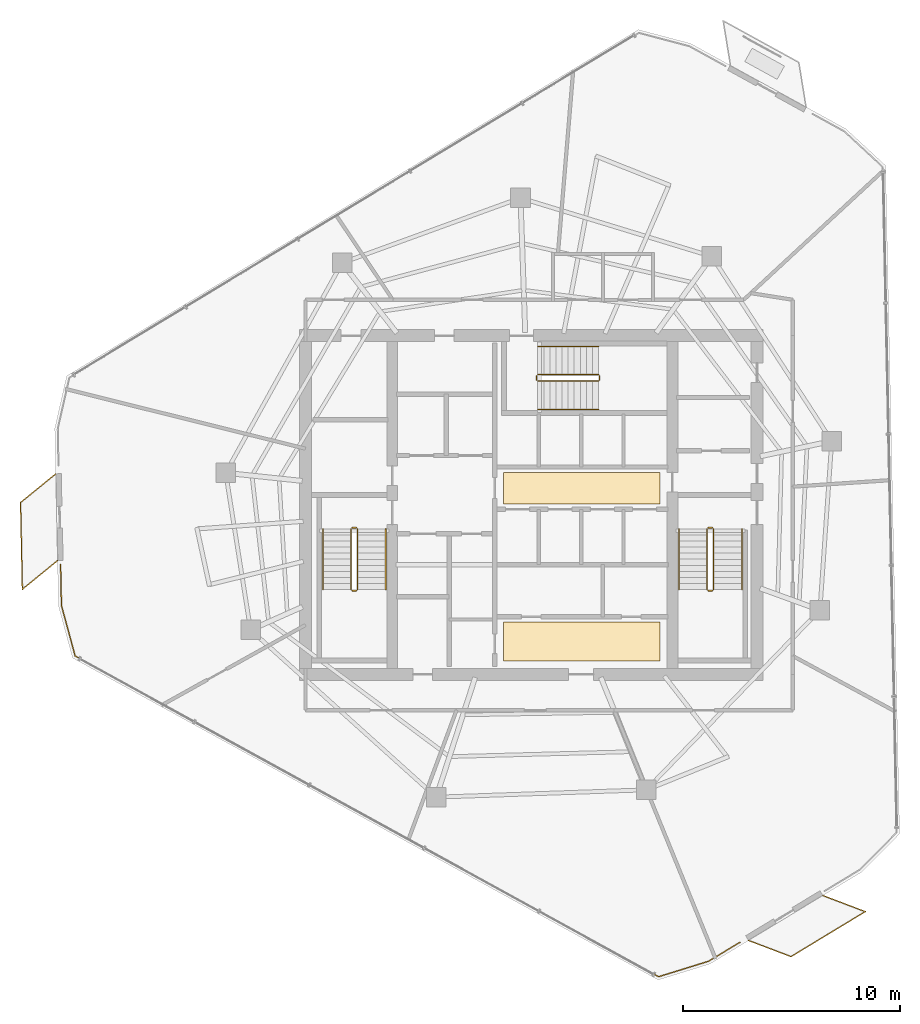
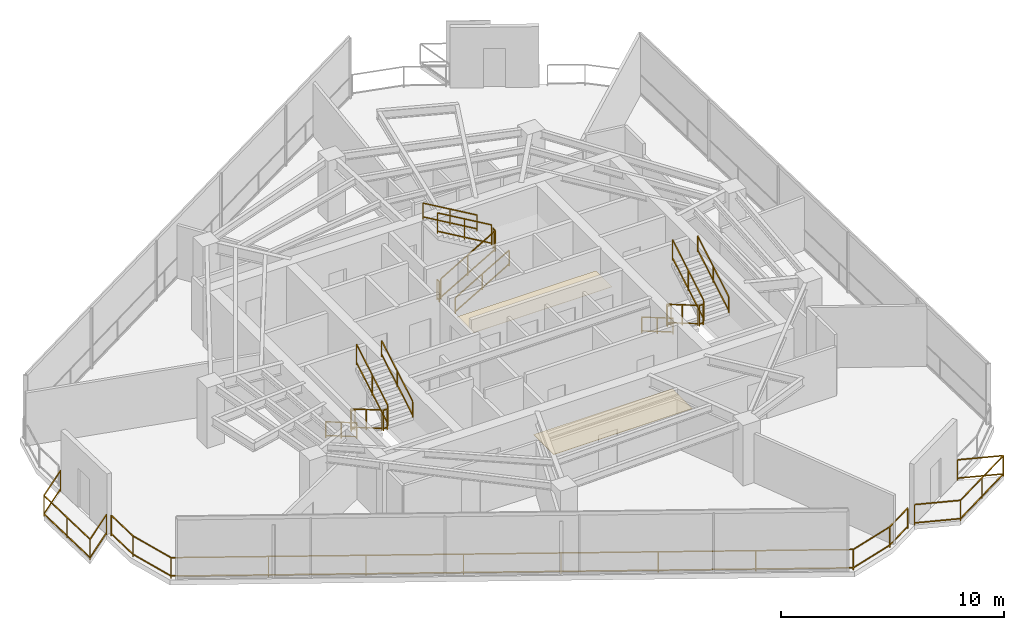
# One storey, part 18 of 19: 21 railings, 2 coverings.
"""IFC4 building model written with IfcOpenShell, lengths in metres."""

from ifc_helpers import new_model, si_unit, direction, frame, origin, origin_2d, place, context, subcontext, project, spatial, rectangle, extrude, material, layer, layer_set, type_object, element, save


model = new_model("IFC4")

# Units and contexts
model_context = context("Model", 3, precision=1e-05, world=origin(), true_north=direction((0.0, 1.0)))
body_context = subcontext(model_context, "Body", "Model", "MODEL_VIEW")
ifc_project = project(units=[si_unit("LENGTHUNIT", "METRE"), si_unit("AREAUNIT", "SQUARE_METRE"), si_unit("VOLUMEUNIT", "CUBIC_METRE"), si_unit("PLANEANGLEUNIT", "RADIAN"), si_unit("MASSUNIT", "GRAM", prefix="KILO")], contexts=[model_context])

# Site, building, storey
site_placement = place(None, origin())
site = spatial("IfcSite", under=ifc_project, at=site_placement, CompositionType="ELEMENT")
building_placement = place(site_placement, origin())
building = spatial("IfcBuilding", under=site, at=building_placement, Name="Qarnah Convention Tower", CompositionType="ELEMENT")
storey_placement = place(building_placement, frame((0.0, 0.0, 184.199951171875)))
storey = spatial("IfcBuildingStorey", under=building, at=storey_placement, Name="L49", CompositionType="ELEMENT", Elevation=184.199951171875)

# Coverings
ifc_material_1 = material(Name="Mineral fibre acoustic ceiling")
ifc_layer_1 = layer(ifc_material_1, 0.02001953125)
ifc_layer_set_1 = layer_set([ifc_layer_1], Name="Mineral fibre acoustic ceiling")
covering_type_1 = type_object("IfcCoveringType", Name="COV-CEIL-20", PredefinedType="CEILING", material=ifc_layer_set_1)
covering_1_placement = place(storey_placement, frame((39.52001953125, 27.179931640625, 2.2900390625), z_axis=(0.0, 0.0, 1.0), x_axis=(1.0, 0.0, 0.0)))
element("IfcCovering", 1, at=covering_1_placement, inside=storey, type_object=covering_type_1, Name="L49 lift lobby acoustic ceiling", PredefinedType="CEILING", context=body_context, shape_type="SweptSolid", body=[
    extrude(rectangle(XDim=7.199951171875, YDim=1.449951171875, at=origin_2d()), origin(), (0.0, 0.0, 1.0), 0.02001953125),
])
ifc_material_2 = material(Name="Porcelain stone floor tile", Category="masonry")
ifc_layer_2 = layer(ifc_material_2, 0.02001953125)
ifc_layer_set_2 = layer_set([ifc_layer_2], Name="Porcelain stone floor tile")
covering_type_2 = type_object("IfcCoveringType", Name="COV-FLOOR-20", PredefinedType="FLOORING", material=ifc_layer_set_2)
covering_2_placement = place(storey_placement, frame((39.52001953125, 20.1201171875, 0.0), z_axis=(0.0, 0.0, 1.0), x_axis=(1.0, 0.0, 0.0)))
element("IfcCovering", 2, at=covering_2_placement, inside=storey, type_object=covering_type_2, Name="L49 lift lobby porcelain stone flooring", PredefinedType="FLOORING", context=body_context, shape_type="SweptSolid", body=[
    extrude(rectangle(XDim=7.199951171875, YDim=1.800048828125, at=origin_2d()), origin(), (0.0, 0.0, 1.0), 0.02001953125),
])

# Railings
ifc_material_3 = material(Name="Black anodised aluminium", Category="aluminium")
railing_type_1 = type_object("IfcRailingType", Name="RL-EXT-GUARD-1150", PredefinedType="GUARDRAIL", material=ifc_material_3)
railing_1_placement = place(storey_placement, frame((46.81005859375, 6.257080078125, 0.0)))
element("IfcRailing", 3, at=railing_1_placement, inside=storey, type_object=railing_type_1, Name="L49 slab-edge perimeter safety guard 03", PredefinedType="GUARDRAIL", context=body_context, shape_type="SweptSolid", body=[
    extrude(rectangle(XDim=0.048095703125, YDim=0.048095703125, at=origin_2d()), frame((0.0, 0.0, 1.1259765625), z_axis=(-0.855609740186, -0.51762145676, 0.0), x_axis=(0.51762145676, -0.855609740186, 0.0)), (0.0, 0.0, 1.0), 1.686767578125),
    extrude(rectangle(XDim=0.048095703125, YDim=0.048095703125, at=origin_2d()), frame((0.0, 0.0, 0.1201171875), z_axis=(-0.855609740186, -0.51762145676, 0.0), x_axis=(0.51762145676, -0.855609740186, 0.0)), (0.0, 0.0, 1.0), 1.686767578125),
    extrude(rectangle(XDim=0.048095703125, YDim=0.048095703125, at=origin_2d()), frame((-1.443115234375, -0.873046875, 1.1259765625), z_axis=(-0.955242214766, -0.295824798031, 0.0), x_axis=(0.295824798031, -0.955242214766, 0.0)), (0.0, 0.0, 1.0), 2.406494140625),
    extrude(rectangle(XDim=0.048095703125, YDim=0.048095703125, at=origin_2d()), frame((-1.443115234375, -0.873046875, 0.1201171875), z_axis=(-0.955242214766, -0.295824798031, 0.0), x_axis=(0.295824798031, -0.955242214766, 0.0)), (0.0, 0.0, 1.0), 2.406494140625),
    extrude(rectangle(XDim=0.048095703125, YDim=0.048095703125, at=origin_2d()), frame((-3.741943359375, -1.5849609375, 1.1259765625), z_axis=(-0.876295902141, 0.481773278515, 0.0), x_axis=(-0.481773278515, -0.876295902141, 0.0)), (0.0, 0.0, 1.0), 30.667724609375),
    extrude(rectangle(XDim=0.048095703125, YDim=0.048095703125, at=origin_2d()), frame((-3.741943359375, -1.5849609375, 0.1201171875), z_axis=(-0.876295902141, 0.481773278515, 0.0), x_axis=(-0.481773278515, -0.876295902141, 0.0)), (0.0, 0.0, 1.0), 30.667724609375),
    extrude(rectangle(XDim=0.048095703125, YDim=0.048095703125, at=origin_2d()), frame((-30.615966796875, 13.18994140625, 1.1259765625), z_axis=(-0.262275962228, 0.964992911703, 0.0), x_axis=(-0.964992911703, -0.262275962228, 0.0)), (0.0, 0.0, 1.0), 2.40625),
    extrude(rectangle(XDim=0.048095703125, YDim=0.048095703125, at=origin_2d()), frame((-30.615966796875, 13.18994140625, 0.1201171875), z_axis=(-0.262275962228, 0.964992911703, 0.0), x_axis=(-0.964992911703, -0.262275962228, 0.0)), (0.0, 0.0, 1.0), 2.40625),
    extrude(rectangle(XDim=0.048095703125, YDim=0.048095703125, at=origin_2d()), frame((-31.2470703125, 15.511962890625, 1.1259765625), z_axis=(-0.021102121155, 0.999777325449, 0.0), x_axis=(-0.999777325449, -0.021102121155, 0.0)), (0.0, 0.0, 1.0), 1.8974609375),
    extrude(rectangle(XDim=0.048095703125, YDim=0.048095703125, at=origin_2d()), frame((-31.2470703125, 15.511962890625, 0.1201171875), z_axis=(-0.021102121155, 0.999777325449, 0.0), x_axis=(-0.999777325449, -0.021102121155, 0.0)), (0.0, 0.0, 1.0), 1.8974609375),
    extrude(rectangle(XDim=0.0419921875, YDim=0.0419921875, at=origin_2d()), origin(), (0.0, 0.0, 1.0), 1.101806640625),
    extrude(rectangle(XDim=0.0419921875, YDim=0.0419921875, at=origin_2d()), frame((-1.443115234375, -0.873046875, 0.0)), (0.0, 0.0, 1.0), 1.101806640625),
    extrude(rectangle(XDim=0.0419921875, YDim=0.0419921875, at=origin_2d()), frame((-3.741943359375, -1.5849609375, 0.0)), (0.0, 0.0, 1.0), 1.101806640625),
    extrude(rectangle(XDim=0.0419921875, YDim=0.0419921875, at=origin_2d()), frame((-7.5810546875, 0.525634765625, 0.0)), (0.0, 0.0, 1.0), 1.101806640625),
    extrude(rectangle(XDim=0.0419921875, YDim=0.0419921875, at=origin_2d()), frame((-11.420166015625, 2.636474609375, 0.0)), (0.0, 0.0, 1.0), 1.101806640625),
    extrude(rectangle(XDim=0.0419921875, YDim=0.0419921875, at=origin_2d()), frame((-15.25927734375, 4.7470703125, 0.0)), (0.0, 0.0, 1.0), 1.101806640625),
    extrude(rectangle(XDim=0.0419921875, YDim=0.0419921875, at=origin_2d()), frame((-19.0986328125, 6.85791015625, 0.0)), (0.0, 0.0, 1.0), 1.101806640625),
    extrude(rectangle(XDim=0.0419921875, YDim=0.0419921875, at=origin_2d()), frame((-22.937744140625, 8.968505859375, 0.0)), (0.0, 0.0, 1.0), 1.101806640625),
    extrude(rectangle(XDim=0.0419921875, YDim=0.0419921875, at=origin_2d()), frame((-26.77685546875, 11.079345703125, 0.0)), (0.0, 0.0, 1.0), 1.101806640625),
    extrude(rectangle(XDim=0.0419921875, YDim=0.0419921875, at=origin_2d()), frame((-30.615966796875, 13.18994140625, 0.0)), (0.0, 0.0, 1.0), 1.101806640625),
    extrude(rectangle(XDim=0.0419921875, YDim=0.0419921875, at=origin_2d()), frame((-31.2470703125, 15.511962890625, 0.0)), (0.0, 0.0, 1.0), 1.101806640625),
    extrude(rectangle(XDim=0.0419921875, YDim=0.0419921875, at=origin_2d()), frame((-31.287109375, 17.408935546875, 0.0)), (0.0, 0.0, 1.0), 1.101806640625),
])
railing_2_placement = place(storey_placement, frame((15.384033203125, 23.8369140625, 0.0)))
element("IfcRailing", 4, at=railing_2_placement, inside=storey, type_object=railing_type_1, Name="L49 balcony safety guard BAL-L49-C2", PredefinedType="GUARDRAIL", context=body_context, shape_type="SweptSolid", body=[
    extrude(rectangle(XDim=0.048095703125, YDim=0.048095703125, at=origin_2d()), frame((0.0, 0.0, 1.1259765625), z_axis=(-0.774928160271, -0.632049322774, 0.0), x_axis=(0.632049322774, -0.774928160271, 0.0)), (0.0, 0.0, 1.0), 2.09326171875),
    extrude(rectangle(XDim=0.048095703125, YDim=0.048095703125, at=origin_2d()), frame((0.0, 0.0, 0.1201171875), z_axis=(-0.774928160271, -0.632049322774, 0.0), x_axis=(0.632049322774, -0.774928160271, 0.0)), (0.0, 0.0, 1.0), 2.09326171875),
    extrude(rectangle(XDim=0.048095703125, YDim=0.048095703125, at=origin_2d()), frame((-1.6220703125, -1.322998046875, 1.1259765625), z_axis=(-0.020996591225, 0.999779547279, 0.0), x_axis=(-0.999779547279, -0.020996591225, 0.0)), (0.0, 0.0, 1.0), 4.0),
    extrude(rectangle(XDim=0.048095703125, YDim=0.048095703125, at=origin_2d()), frame((-1.6220703125, -1.322998046875, 0.1201171875), z_axis=(-0.020996591225, 0.999779547279, 0.0), x_axis=(-0.999779547279, -0.020996591225, 0.0)), (0.0, 0.0, 1.0), 4.0),
    extrude(rectangle(XDim=0.048095703125, YDim=0.048095703125, at=origin_2d()), frame((-1.7060546875, 2.676025390625, 1.1259765625), z_axis=(0.775114436854, 0.631820868428, 0.0), x_axis=(-0.631820868428, 0.775114436854, 0.0)), (0.0, 0.0, 1.0), 2.093994140625),
    extrude(rectangle(XDim=0.048095703125, YDim=0.048095703125, at=origin_2d()), frame((-1.7060546875, 2.676025390625, 0.1201171875), z_axis=(0.775114436854, 0.631820868428, 0.0), x_axis=(-0.631820868428, 0.775114436854, 0.0)), (0.0, 0.0, 1.0), 2.093994140625),
    extrude(rectangle(XDim=0.0419921875, YDim=0.0419921875, at=origin_2d()), origin(), (0.0, 0.0, 1.0), 1.101806640625),
    extrude(rectangle(XDim=0.0419921875, YDim=0.0419921875, at=origin_2d()), frame((-1.6220703125, -1.322998046875, 0.0)), (0.0, 0.0, 1.0), 1.101806640625),
    extrude(rectangle(XDim=0.0419921875, YDim=0.0419921875, at=origin_2d()), frame((-1.6640625, 0.676513671875, 0.0)), (0.0, 0.0, 1.0), 1.101806640625),
    extrude(rectangle(XDim=0.0419921875, YDim=0.0419921875, at=origin_2d()), frame((-1.7060546875, 2.676025390625, 0.0)), (0.0, 0.0, 1.0), 1.101806640625),
    extrude(rectangle(XDim=0.0419921875, YDim=0.0419921875, at=origin_2d()), frame((-0.0830078125, 3.9990234375, 0.0)), (0.0, 0.0, 1.0), 1.101806640625),
])
railing_3_placement = place(storey_placement, frame((50.631103515625, 8.4130859375, 0.0)))
element("IfcRailing", 5, at=railing_3_placement, inside=storey, type_object=railing_type_1, Name="L49 balcony safety guard BAL-L49-C3", PredefinedType="GUARDRAIL", context=body_context, shape_type="SweptSolid", body=[
    extrude(rectangle(XDim=0.048095703125, YDim=0.048095703125, at=origin_2d()), frame((0.0, 0.0, 1.1259765625), z_axis=(0.934849404982, -0.355044490177, 0.0), x_axis=(0.355044490177, 0.934849404982, 0.0)), (0.0, 0.0, 1.0), 2.09326171875),
    extrude(rectangle(XDim=0.048095703125, YDim=0.048095703125, at=origin_2d()), frame((0.0, 0.0, 0.1201171875), z_axis=(0.934849404982, -0.355044490177, 0.0), x_axis=(0.355044490177, 0.934849404982, 0.0)), (0.0, 0.0, 1.0), 2.09326171875),
    extrude(rectangle(XDim=0.048095703125, YDim=0.048095703125, at=origin_2d()), frame((1.956787109375, -0.7431640625, 1.1259765625), z_axis=(-0.855336367672, -0.518073062548, 0.0), x_axis=(0.518073062548, -0.855336367672, 0.0)), (0.0, 0.0, 1.0), 3.99951171875),
    extrude(rectangle(XDim=0.048095703125, YDim=0.048095703125, at=origin_2d()), frame((1.956787109375, -0.7431640625, 0.1201171875), z_axis=(-0.855336367672, -0.518073062548, 0.0), x_axis=(0.518073062548, -0.855336367672, 0.0)), (0.0, 0.0, 1.0), 3.99951171875),
    extrude(rectangle(XDim=0.048095703125, YDim=0.048095703125, at=origin_2d()), frame((-1.464111328125, -2.815185546875, 1.1259765625), z_axis=(-0.93492285952, 0.354851020496, 0.0), x_axis=(-0.354851020496, -0.93492285952, 0.0)), (0.0, 0.0, 1.0), 2.09423828125),
    extrude(rectangle(XDim=0.048095703125, YDim=0.048095703125, at=origin_2d()), frame((-1.464111328125, -2.815185546875, 0.1201171875), z_axis=(-0.93492285952, 0.354851020496, 0.0), x_axis=(-0.354851020496, -0.93492285952, 0.0)), (0.0, 0.0, 1.0), 2.09423828125),
    extrude(rectangle(XDim=0.0419921875, YDim=0.0419921875, at=origin_2d()), origin(), (0.0, 0.0, 1.0), 1.101806640625),
    extrude(rectangle(XDim=0.0419921875, YDim=0.0419921875, at=origin_2d()), frame((1.956787109375, -0.7431640625, 0.0)), (0.0, 0.0, 1.0), 1.101806640625),
    extrude(rectangle(XDim=0.0419921875, YDim=0.0419921875, at=origin_2d()), frame((0.246337890625, -1.779296875, 0.0)), (0.0, 0.0, 1.0), 1.101806640625),
    extrude(rectangle(XDim=0.0419921875, YDim=0.0419921875, at=origin_2d()), frame((-1.464111328125, -2.815185546875, 0.0)), (0.0, 0.0, 1.0), 1.101806640625),
    extrude(rectangle(XDim=0.0419921875, YDim=0.0419921875, at=origin_2d()), frame((-3.422119140625, -2.072021484375, 0.0)), (0.0, 0.0, 1.0), 1.101806640625),
])
ifc_material_4 = material(Name="Structural steel S355JR", Category="steel")
railing_type_2 = type_object("IfcRailingType", Name="RL-STAIR-GUARD-1150", PredefinedType="GUARDRAIL", material=ifc_material_4)
railing_4_placement = place(storey_placement, frame((28.89990234375, 25.300048828125, 0.16357421875)))
element("IfcRailing", 6, at=railing_4_placement, inside=storey, type_object=railing_type_2, Name="L49 ST-1 stair guard 1", PredefinedType="GUARDRAIL", context=body_context, shape_type="SweptSolid", body=[
    extrude(rectangle(XDim=0.048095703125, YDim=0.048095703125, at=origin_2d()), frame((0.0, 0.0, 1.1259765625), z_axis=(0.0, -0.863360870873, 0.504586966384), x_axis=(1.0, 0.0, 0.0)), (0.0, 0.0, 1.0), 3.2431640625),
    extrude(rectangle(XDim=0.048095703125, YDim=0.048095703125, at=origin_2d()), frame((0.0, 0.0, 0.1201171875), z_axis=(0.0, -0.863360870873, 0.504586966384), x_axis=(1.0, 0.0, 0.0)), (0.0, 0.0, 1.0), 3.2431640625),
    extrude(rectangle(XDim=0.0419921875, YDim=0.0419921875, at=origin_2d()), origin(), (0.0, 0.0, 1.0), 1.101806640625),
    extrude(rectangle(XDim=0.0419921875, YDim=0.0419921875, at=origin_2d()), frame((0.0, -1.39990234375, 0.818359375)), (0.0, 0.0, 1.0), 1.101806640625),
    extrude(rectangle(XDim=0.0419921875, YDim=0.0419921875, at=origin_2d()), frame((0.0, -2.800048828125, 1.636474609375)), (0.0, 0.0, 1.0), 1.101806640625),
])
railing_5_placement = place(storey_placement, frame((28.949951171875, 22.449951171875, 1.800048828125)))
element("IfcRailing", 7, at=railing_5_placement, inside=storey, type_object=railing_type_2, Name="L49 ST-1 stair guard 2", PredefinedType="GUARDRAIL", context=body_context, shape_type="SweptSolid", body=[
    extrude(rectangle(XDim=0.048095703125, YDim=0.048095703125, at=origin_2d()), frame((0.0, 0.0, 1.1259765625), z_axis=(1.0, 0.0, 0.0), x_axis=(0.0, 1.0, 0.0)), (0.0, 0.0, 1.0), 0.199951171875),
    extrude(rectangle(XDim=0.048095703125, YDim=0.048095703125, at=origin_2d()), frame((0.0, 0.0, 0.1201171875), z_axis=(1.0, 0.0, 0.0), x_axis=(0.0, 1.0, 0.0)), (0.0, 0.0, 1.0), 0.199951171875),
    extrude(rectangle(XDim=0.0419921875, YDim=0.0419921875, at=origin_2d()), origin(), (0.0, 0.0, 1.0), 1.101806640625),
    extrude(rectangle(XDim=0.0419921875, YDim=0.0419921875, at=origin_2d()), frame((0.199951171875, 0.0, 0.0)), (0.0, 0.0, 1.0), 1.101806640625),
])
railing_6_placement = place(storey_placement, frame((29.199951171875, 22.5, 1.963623046875)))
element("IfcRailing", 8, at=railing_6_placement, inside=storey, type_object=railing_type_2, Name="L49 ST-1 stair guard 3", PredefinedType="GUARDRAIL", context=body_context, shape_type="SweptSolid", body=[
    extrude(rectangle(XDim=0.048095703125, YDim=0.048095703125, at=origin_2d()), frame((0.0, 0.0, 1.1259765625), z_axis=(0.0, 0.863360870873, 0.504586966384), x_axis=(-1.0, 0.0, 0.0)), (0.0, 0.0, 1.0), 3.2431640625),
    extrude(rectangle(XDim=0.048095703125, YDim=0.048095703125, at=origin_2d()), frame((0.0, 0.0, 0.1201171875), z_axis=(0.0, 0.863360870873, 0.504586966384), x_axis=(-1.0, 0.0, 0.0)), (0.0, 0.0, 1.0), 3.2431640625),
    extrude(rectangle(XDim=0.0419921875, YDim=0.0419921875, at=origin_2d()), origin(), (0.0, 0.0, 1.0), 1.101806640625),
    extrude(rectangle(XDim=0.0419921875, YDim=0.0419921875, at=origin_2d()), frame((0.0, 1.39990234375, 0.818359375)), (0.0, 0.0, 1.0), 1.101806640625),
    extrude(rectangle(XDim=0.0419921875, YDim=0.0419921875, at=origin_2d()), frame((0.0, 2.800048828125, 1.636474609375)), (0.0, 0.0, 1.0), 1.101806640625),
])
railing_7_placement = place(storey_placement, frame((28.949951171875, 25.35009765625, 0.0)))
element("IfcRailing", 9, at=railing_7_placement, inside=storey, type_object=railing_type_2, Name="L49 ST-1 stair guard 4", PredefinedType="GUARDRAIL", context=body_context, shape_type="SweptSolid", body=[
    extrude(rectangle(XDim=0.048095703125, YDim=0.048095703125, at=origin_2d()), frame((0.0, 0.0, 1.1259765625), z_axis=(1.0, 0.0, 0.0), x_axis=(0.0, 1.0, 0.0)), (0.0, 0.0, 1.0), 0.199951171875),
    extrude(rectangle(XDim=0.048095703125, YDim=0.048095703125, at=origin_2d()), frame((0.0, 0.0, 0.1201171875), z_axis=(1.0, 0.0, 0.0), x_axis=(0.0, 1.0, 0.0)), (0.0, 0.0, 1.0), 0.199951171875),
    extrude(rectangle(XDim=0.0419921875, YDim=0.0419921875, at=origin_2d()), origin(), (0.0, 0.0, 1.0), 1.101806640625),
    extrude(rectangle(XDim=0.0419921875, YDim=0.0419921875, at=origin_2d()), frame((0.199951171875, 0.0, 0.0)), (0.0, 0.0, 1.0), 1.101806640625),
])
railing_8_placement = place(storey_placement, frame((45.300048828125, 25.300048828125, 0.16357421875)))
element("IfcRailing", 10, at=railing_8_placement, inside=storey, type_object=railing_type_2, Name="L49 ST-2 stair guard 1", PredefinedType="GUARDRAIL", context=body_context, shape_type="SweptSolid", body=[
    extrude(rectangle(XDim=0.048095703125, YDim=0.048095703125, at=origin_2d()), frame((0.0, 0.0, 1.1259765625), z_axis=(0.0, -0.863360870873, 0.504586966384), x_axis=(1.0, 0.0, 0.0)), (0.0, 0.0, 1.0), 3.2431640625),
    extrude(rectangle(XDim=0.048095703125, YDim=0.048095703125, at=origin_2d()), frame((0.0, 0.0, 0.1201171875), z_axis=(0.0, -0.863360870873, 0.504586966384), x_axis=(1.0, 0.0, 0.0)), (0.0, 0.0, 1.0), 3.2431640625),
    extrude(rectangle(XDim=0.0419921875, YDim=0.0419921875, at=origin_2d()), origin(), (0.0, 0.0, 1.0), 1.101806640625),
    extrude(rectangle(XDim=0.0419921875, YDim=0.0419921875, at=origin_2d()), frame((0.0, -1.39990234375, 0.818359375)), (0.0, 0.0, 1.0), 1.101806640625),
    extrude(rectangle(XDim=0.0419921875, YDim=0.0419921875, at=origin_2d()), frame((0.0, -2.800048828125, 1.636474609375)), (0.0, 0.0, 1.0), 1.101806640625),
])
railing_9_placement = place(storey_placement, frame((45.35009765625, 22.449951171875, 1.800048828125)))
element("IfcRailing", 11, at=railing_9_placement, inside=storey, type_object=railing_type_2, Name="L49 ST-2 stair guard 2", PredefinedType="GUARDRAIL", context=body_context, shape_type="SweptSolid", body=[
    extrude(rectangle(XDim=0.048095703125, YDim=0.048095703125, at=origin_2d()), frame((0.0, 0.0, 1.1259765625), z_axis=(1.0, 0.0, 0.0), x_axis=(0.0, 1.0, 0.0)), (0.0, 0.0, 1.0), 0.199951171875),
    extrude(rectangle(XDim=0.048095703125, YDim=0.048095703125, at=origin_2d()), frame((0.0, 0.0, 0.1201171875), z_axis=(1.0, 0.0, 0.0), x_axis=(0.0, 1.0, 0.0)), (0.0, 0.0, 1.0), 0.199951171875),
    extrude(rectangle(XDim=0.0419921875, YDim=0.0419921875, at=origin_2d()), origin(), (0.0, 0.0, 1.0), 1.101806640625),
    extrude(rectangle(XDim=0.0419921875, YDim=0.0419921875, at=origin_2d()), frame((0.199951171875, 0.0, 0.0)), (0.0, 0.0, 1.0), 1.101806640625),
])
railing_10_placement = place(storey_placement, frame((45.60009765625, 22.5, 1.963623046875)))
element("IfcRailing", 12, at=railing_10_placement, inside=storey, type_object=railing_type_2, Name="L49 ST-2 stair guard 3", PredefinedType="GUARDRAIL", context=body_context, shape_type="SweptSolid", body=[
    extrude(rectangle(XDim=0.048095703125, YDim=0.048095703125, at=origin_2d()), frame((0.0, 0.0, 1.1259765625), z_axis=(0.0, 0.863360870873, 0.504586966384), x_axis=(-1.0, 0.0, 0.0)), (0.0, 0.0, 1.0), 3.2431640625),
    extrude(rectangle(XDim=0.048095703125, YDim=0.048095703125, at=origin_2d()), frame((0.0, 0.0, 0.1201171875), z_axis=(0.0, 0.863360870873, 0.504586966384), x_axis=(-1.0, 0.0, 0.0)), (0.0, 0.0, 1.0), 3.2431640625),
    extrude(rectangle(XDim=0.0419921875, YDim=0.0419921875, at=origin_2d()), origin(), (0.0, 0.0, 1.0), 1.101806640625),
    extrude(rectangle(XDim=0.0419921875, YDim=0.0419921875, at=origin_2d()), frame((0.0, 1.39990234375, 0.818359375)), (0.0, 0.0, 1.0), 1.101806640625),
    extrude(rectangle(XDim=0.0419921875, YDim=0.0419921875, at=origin_2d()), frame((0.0, 2.800048828125, 1.636474609375)), (0.0, 0.0, 1.0), 1.101806640625),
])
railing_11_placement = place(storey_placement, frame((45.35009765625, 25.35009765625, 0.0)))
element("IfcRailing", 13, at=railing_11_placement, inside=storey, type_object=railing_type_2, Name="L49 ST-2 stair guard 4", PredefinedType="GUARDRAIL", context=body_context, shape_type="SweptSolid", body=[
    extrude(rectangle(XDim=0.048095703125, YDim=0.048095703125, at=origin_2d()), frame((0.0, 0.0, 1.1259765625), z_axis=(1.0, 0.0, 0.0), x_axis=(0.0, 1.0, 0.0)), (0.0, 0.0, 1.0), 0.199951171875),
    extrude(rectangle(XDim=0.048095703125, YDim=0.048095703125, at=origin_2d()), frame((0.0, 0.0, 0.1201171875), z_axis=(1.0, 0.0, 0.0), x_axis=(0.0, 1.0, 0.0)), (0.0, 0.0, 1.0), 0.199951171875),
    extrude(rectangle(XDim=0.0419921875, YDim=0.0419921875, at=origin_2d()), origin(), (0.0, 0.0, 1.0), 1.101806640625),
    extrude(rectangle(XDim=0.0419921875, YDim=0.0419921875, at=origin_2d()), frame((0.199951171875, 0.0, 0.0)), (0.0, 0.0, 1.0), 1.101806640625),
])
railing_12_placement = place(storey_placement, frame((37.5, 32.10009765625, 0.16357421875)))
element("IfcRailing", 14, at=railing_12_placement, inside=storey, type_object=railing_type_2, Name="L49 ST-3 stair guard 1", PredefinedType="GUARDRAIL", context=body_context, shape_type="SweptSolid", body=[
    extrude(rectangle(XDim=0.048095703125, YDim=0.048095703125, at=origin_2d()), frame((0.0, 0.0, 1.1259765625), z_axis=(0.863360870873, 0.0, 0.504586966384), x_axis=(0.0, 1.0, 0.0)), (0.0, 0.0, 1.0), 3.2431640625),
    extrude(rectangle(XDim=0.048095703125, YDim=0.048095703125, at=origin_2d()), frame((0.0, 0.0, 0.1201171875), z_axis=(0.863360870873, 0.0, 0.504586966384), x_axis=(0.0, 1.0, 0.0)), (0.0, 0.0, 1.0), 3.2431640625),
    extrude(rectangle(XDim=0.0419921875, YDim=0.0419921875, at=origin_2d()), origin(), (0.0, 0.0, 1.0), 1.101806640625),
    extrude(rectangle(XDim=0.0419921875, YDim=0.0419921875, at=origin_2d()), frame((1.39990234375, 0.0, 0.818359375)), (0.0, 0.0, 1.0), 1.101806640625),
    extrude(rectangle(XDim=0.0419921875, YDim=0.0419921875, at=origin_2d()), frame((2.800048828125, 0.0, 1.636474609375)), (0.0, 0.0, 1.0), 1.101806640625),
])
railing_13_placement = place(storey_placement, frame((40.35009765625, 32.14990234375, 1.800048828125)))
element("IfcRailing", 15, at=railing_13_placement, inside=storey, type_object=railing_type_2, Name="L49 ST-3 stair guard 2", PredefinedType="GUARDRAIL", context=body_context, shape_type="SweptSolid", body=[
    extrude(rectangle(XDim=0.048095703125, YDim=0.048095703125, at=origin_2d()), frame((0.0, 0.0, 1.1259765625), z_axis=(0.0, 1.0, 0.0), x_axis=(-1.0, 0.0, 0.0)), (0.0, 0.0, 1.0), 0.2001953125),
    extrude(rectangle(XDim=0.048095703125, YDim=0.048095703125, at=origin_2d()), frame((0.0, 0.0, 0.1201171875), z_axis=(0.0, 1.0, 0.0), x_axis=(-1.0, 0.0, 0.0)), (0.0, 0.0, 1.0), 0.2001953125),
    extrude(rectangle(XDim=0.0419921875, YDim=0.0419921875, at=origin_2d()), origin(), (0.0, 0.0, 1.0), 1.101806640625),
    extrude(rectangle(XDim=0.0419921875, YDim=0.0419921875, at=origin_2d()), frame((0.0, 0.2001953125, 0.0)), (0.0, 0.0, 1.0), 1.101806640625),
])
railing_14_placement = place(storey_placement, frame((40.300048828125, 32.39990234375, 1.963623046875)))
element("IfcRailing", 16, at=railing_14_placement, inside=storey, type_object=railing_type_2, Name="L49 ST-3 stair guard 3", PredefinedType="GUARDRAIL", context=body_context, shape_type="SweptSolid", body=[
    extrude(rectangle(XDim=0.048095703125, YDim=0.048095703125, at=origin_2d()), frame((0.0, 0.0, 1.1259765625), z_axis=(-0.863360870873, 0.0, 0.504586966384), x_axis=(0.0, -1.0, 0.0)), (0.0, 0.0, 1.0), 3.2431640625),
    extrude(rectangle(XDim=0.048095703125, YDim=0.048095703125, at=origin_2d()), frame((0.0, 0.0, 0.1201171875), z_axis=(-0.863360870873, 0.0, 0.504586966384), x_axis=(0.0, -1.0, 0.0)), (0.0, 0.0, 1.0), 3.2431640625),
    extrude(rectangle(XDim=0.0419921875, YDim=0.0419921875, at=origin_2d()), origin(), (0.0, 0.0, 1.0), 1.101806640625),
    extrude(rectangle(XDim=0.0419921875, YDim=0.0419921875, at=origin_2d()), frame((-1.39990234375, 0.0, 0.818359375)), (0.0, 0.0, 1.0), 1.101806640625),
    extrude(rectangle(XDim=0.0419921875, YDim=0.0419921875, at=origin_2d()), frame((-2.800048828125, 0.0, 1.636474609375)), (0.0, 0.0, 1.0), 1.101806640625),
])
railing_15_placement = place(storey_placement, frame((37.449951171875, 32.14990234375, 0.0)))
element("IfcRailing", 17, at=railing_15_placement, inside=storey, type_object=railing_type_2, Name="L49 ST-3 stair guard 4", PredefinedType="GUARDRAIL", context=body_context, shape_type="SweptSolid", body=[
    extrude(rectangle(XDim=0.048095703125, YDim=0.048095703125, at=origin_2d()), frame((0.0, 0.0, 1.1259765625), z_axis=(0.0, 1.0, 0.0), x_axis=(-1.0, 0.0, 0.0)), (0.0, 0.0, 1.0), 0.2001953125),
    extrude(rectangle(XDim=0.048095703125, YDim=0.048095703125, at=origin_2d()), frame((0.0, 0.0, 0.1201171875), z_axis=(0.0, 1.0, 0.0), x_axis=(-1.0, 0.0, 0.0)), (0.0, 0.0, 1.0), 0.2001953125),
    extrude(rectangle(XDim=0.0419921875, YDim=0.0419921875, at=origin_2d()), origin(), (0.0, 0.0, 1.0), 1.101806640625),
    extrude(rectangle(XDim=0.0419921875, YDim=0.0419921875, at=origin_2d()), frame((0.0, 0.2001953125, 0.0)), (0.0, 0.0, 1.0), 1.101806640625),
])
railing_type_3 = type_object("IfcRailingType", Name="RL-STAIR-HAND-900", PredefinedType="HANDRAIL", material=ifc_material_4)
railing_16_placement = place(storey_placement, frame((27.60009765625, 25.300048828125, 0.16357421875)))
element("IfcRailing", 18, at=railing_16_placement, inside=storey, type_object=railing_type_3, Name="L49 ST-1 stair handrail 1", PredefinedType="HANDRAIL", context=body_context, shape_type="SweptSolid", body=[
    extrude(rectangle(XDim=0.048095703125, YDim=0.048095703125, at=origin_2d()), frame((0.0, 0.0, 0.8759765625), z_axis=(0.0, -0.863360870873, 0.504586966384), x_axis=(1.0, 0.0, 0.0)), (0.0, 0.0, 1.0), 3.2431640625),
    extrude(rectangle(XDim=0.048095703125, YDim=0.048095703125, at=origin_2d()), frame((0.0, 0.0, 0.1201171875), z_axis=(0.0, -0.863360870873, 0.504586966384), x_axis=(1.0, 0.0, 0.0)), (0.0, 0.0, 1.0), 3.2431640625),
    extrude(rectangle(XDim=0.0419921875, YDim=0.0419921875, at=origin_2d()), origin(), (0.0, 0.0, 1.0), 0.851806640625),
    extrude(rectangle(XDim=0.0419921875, YDim=0.0419921875, at=origin_2d()), frame((0.0, -1.39990234375, 0.818359375)), (0.0, 0.0, 1.0), 0.851806640625),
    extrude(rectangle(XDim=0.0419921875, YDim=0.0419921875, at=origin_2d()), frame((0.0, -2.800048828125, 1.636474609375)), (0.0, 0.0, 1.0), 0.851806640625),
])
railing_17_placement = place(storey_placement, frame((30.5, 22.5, 1.963623046875)))
element("IfcRailing", 19, at=railing_17_placement, inside=storey, type_object=railing_type_3, Name="L49 ST-1 stair handrail 2", PredefinedType="HANDRAIL", context=body_context, shape_type="SweptSolid", body=[
    extrude(rectangle(XDim=0.048095703125, YDim=0.048095703125, at=origin_2d()), frame((0.0, 0.0, 0.8759765625), z_axis=(0.0, 0.863360870873, 0.504586966384), x_axis=(-1.0, 0.0, 0.0)), (0.0, 0.0, 1.0), 3.2431640625),
    extrude(rectangle(XDim=0.048095703125, YDim=0.048095703125, at=origin_2d()), frame((0.0, 0.0, 0.1201171875), z_axis=(0.0, 0.863360870873, 0.504586966384), x_axis=(-1.0, 0.0, 0.0)), (0.0, 0.0, 1.0), 3.2431640625),
    extrude(rectangle(XDim=0.0419921875, YDim=0.0419921875, at=origin_2d()), origin(), (0.0, 0.0, 1.0), 0.851806640625),
    extrude(rectangle(XDim=0.0419921875, YDim=0.0419921875, at=origin_2d()), frame((0.0, 1.39990234375, 0.818359375)), (0.0, 0.0, 1.0), 0.851806640625),
    extrude(rectangle(XDim=0.0419921875, YDim=0.0419921875, at=origin_2d()), frame((0.0, 2.800048828125, 1.636474609375)), (0.0, 0.0, 1.0), 0.851806640625),
])
railing_18_placement = place(storey_placement, frame((44.0, 25.300048828125, 0.16357421875)))
element("IfcRailing", 20, at=railing_18_placement, inside=storey, type_object=railing_type_3, Name="L49 ST-2 stair handrail 1", PredefinedType="HANDRAIL", context=body_context, shape_type="SweptSolid", body=[
    extrude(rectangle(XDim=0.048095703125, YDim=0.048095703125, at=origin_2d()), frame((0.0, 0.0, 0.8759765625), z_axis=(0.0, -0.863360870873, 0.504586966384), x_axis=(1.0, 0.0, 0.0)), (0.0, 0.0, 1.0), 3.2431640625),
    extrude(rectangle(XDim=0.048095703125, YDim=0.048095703125, at=origin_2d()), frame((0.0, 0.0, 0.1201171875), z_axis=(0.0, -0.863360870873, 0.504586966384), x_axis=(1.0, 0.0, 0.0)), (0.0, 0.0, 1.0), 3.2431640625),
    extrude(rectangle(XDim=0.0419921875, YDim=0.0419921875, at=origin_2d()), origin(), (0.0, 0.0, 1.0), 0.851806640625),
    extrude(rectangle(XDim=0.0419921875, YDim=0.0419921875, at=origin_2d()), frame((0.0, -1.39990234375, 0.818359375)), (0.0, 0.0, 1.0), 0.851806640625),
    extrude(rectangle(XDim=0.0419921875, YDim=0.0419921875, at=origin_2d()), frame((0.0, -2.800048828125, 1.636474609375)), (0.0, 0.0, 1.0), 0.851806640625),
])
railing_19_placement = place(storey_placement, frame((46.89990234375, 22.5, 1.963623046875)))
element("IfcRailing", 21, at=railing_19_placement, inside=storey, type_object=railing_type_3, Name="L49 ST-2 stair handrail 2", PredefinedType="HANDRAIL", context=body_context, shape_type="SweptSolid", body=[
    extrude(rectangle(XDim=0.048095703125, YDim=0.048095703125, at=origin_2d()), frame((0.0, 0.0, 0.8759765625), z_axis=(0.0, 0.863360870873, 0.504586966384), x_axis=(-1.0, 0.0, 0.0)), (0.0, 0.0, 1.0), 3.2431640625),
    extrude(rectangle(XDim=0.048095703125, YDim=0.048095703125, at=origin_2d()), frame((0.0, 0.0, 0.1201171875), z_axis=(0.0, 0.863360870873, 0.504586966384), x_axis=(-1.0, 0.0, 0.0)), (0.0, 0.0, 1.0), 3.2431640625),
    extrude(rectangle(XDim=0.0419921875, YDim=0.0419921875, at=origin_2d()), origin(), (0.0, 0.0, 1.0), 0.851806640625),
    extrude(rectangle(XDim=0.0419921875, YDim=0.0419921875, at=origin_2d()), frame((0.0, 1.39990234375, 0.818359375)), (0.0, 0.0, 1.0), 0.851806640625),
    extrude(rectangle(XDim=0.0419921875, YDim=0.0419921875, at=origin_2d()), frame((0.0, 2.800048828125, 1.636474609375)), (0.0, 0.0, 1.0), 0.851806640625),
])
railing_20_placement = place(storey_placement, frame((37.5, 30.800048828125, 0.16357421875)))
element("IfcRailing", 22, at=railing_20_placement, inside=storey, type_object=railing_type_3, Name="L49 ST-3 stair handrail 1", PredefinedType="HANDRAIL", context=body_context, shape_type="SweptSolid", body=[
    extrude(rectangle(XDim=0.048095703125, YDim=0.048095703125, at=origin_2d()), frame((0.0, 0.0, 0.8759765625), z_axis=(0.863360870873, 0.0, 0.504586966384), x_axis=(0.0, 1.0, 0.0)), (0.0, 0.0, 1.0), 3.2431640625),
    extrude(rectangle(XDim=0.048095703125, YDim=0.048095703125, at=origin_2d()), frame((0.0, 0.0, 0.1201171875), z_axis=(0.863360870873, 0.0, 0.504586966384), x_axis=(0.0, 1.0, 0.0)), (0.0, 0.0, 1.0), 3.2431640625),
    extrude(rectangle(XDim=0.0419921875, YDim=0.0419921875, at=origin_2d()), origin(), (0.0, 0.0, 1.0), 0.851806640625),
    extrude(rectangle(XDim=0.0419921875, YDim=0.0419921875, at=origin_2d()), frame((1.39990234375, 0.0, 0.818359375)), (0.0, 0.0, 1.0), 0.851806640625),
    extrude(rectangle(XDim=0.0419921875, YDim=0.0419921875, at=origin_2d()), frame((2.800048828125, 0.0, 1.636474609375)), (0.0, 0.0, 1.0), 0.851806640625),
])
railing_21_placement = place(storey_placement, frame((40.300048828125, 33.699951171875, 1.963623046875)))
element("IfcRailing", 23, at=railing_21_placement, inside=storey, type_object=railing_type_3, Name="L49 ST-3 stair handrail 2", PredefinedType="HANDRAIL", context=body_context, shape_type="SweptSolid", body=[
    extrude(rectangle(XDim=0.048095703125, YDim=0.048095703125, at=origin_2d()), frame((0.0, 0.0, 0.8759765625), z_axis=(-0.863360870873, 0.0, 0.504586966384), x_axis=(0.0, -1.0, 0.0)), (0.0, 0.0, 1.0), 3.2431640625),
    extrude(rectangle(XDim=0.048095703125, YDim=0.048095703125, at=origin_2d()), frame((0.0, 0.0, 0.1201171875), z_axis=(-0.863360870873, 0.0, 0.504586966384), x_axis=(0.0, -1.0, 0.0)), (0.0, 0.0, 1.0), 3.2431640625),
    extrude(rectangle(XDim=0.0419921875, YDim=0.0419921875, at=origin_2d()), origin(), (0.0, 0.0, 1.0), 0.851806640625),
    extrude(rectangle(XDim=0.0419921875, YDim=0.0419921875, at=origin_2d()), frame((-1.39990234375, 0.0, 0.818359375)), (0.0, 0.0, 1.0), 0.851806640625),
    extrude(rectangle(XDim=0.0419921875, YDim=0.0419921875, at=origin_2d()), frame((-2.800048828125, 0.0, 1.636474609375)), (0.0, 0.0, 1.0), 0.851806640625),
])

save(model, "model.ifc")
